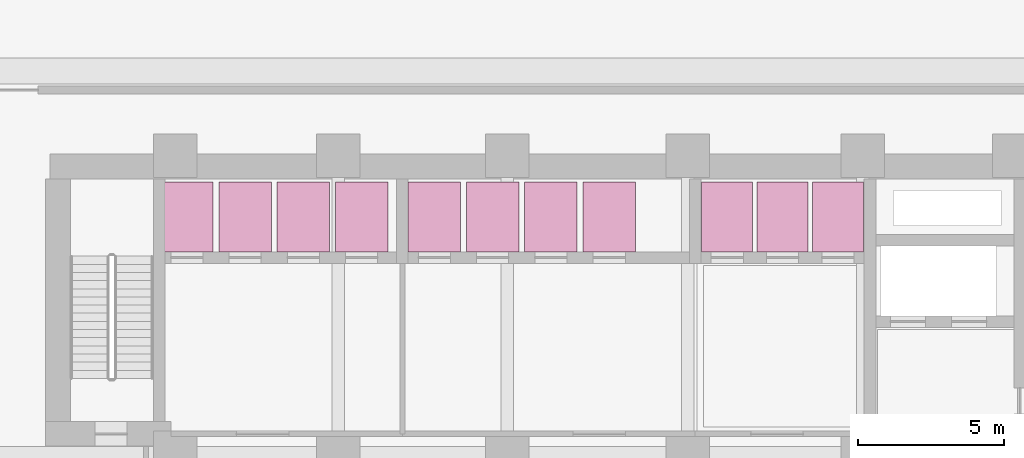
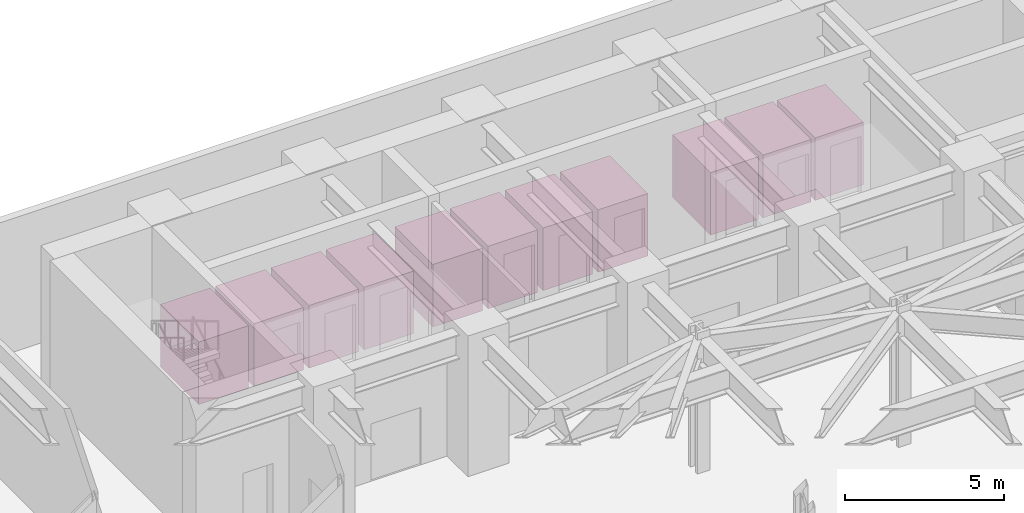
# One storey, part 31 of 31: 11 transport elements.
"""IFC4 building model written with IfcOpenShell, lengths in metres."""

from ifc_helpers import new_model, si_unit, direction, frame, origin, origin_2d, place, context, subcontext, project, spatial, rectangle, extrude, material, type_object, element, save


model = new_model("IFC4")

# Units and contexts
model_context = context("Model", 3, precision=1e-05, world=origin(), true_north=direction((0.0, 1.0)))
body_context = subcontext(model_context, "Body", "Model", "MODEL_VIEW")
ifc_project = project(units=[si_unit("LENGTHUNIT", "METRE"), si_unit("AREAUNIT", "SQUARE_METRE"), si_unit("VOLUMEUNIT", "CUBIC_METRE"), si_unit("PLANEANGLEUNIT", "RADIAN"), si_unit("MASSUNIT", "GRAM", prefix="KILO")], contexts=[model_context])

# Site, building, storey
site_placement = place(None, origin())
site = spatial("IfcSite", under=ifc_project, at=site_placement, CompositionType="ELEMENT")
building_placement = place(site_placement, origin())
building = spatial("IfcBuilding", under=site, at=building_placement, Name="Kravanh Interchange Tower", CompositionType="ELEMENT")
storey_placement = place(building_placement, origin())
storey = spatial("IfcBuildingStorey", under=building, at=storey_placement, Name="L00", CompositionType="ELEMENT", Elevation=0.0)

# Transport elements
ifc_material_1 = material(Name="Stainless Steel 304", Category="steel")
transport_element_type_1 = type_object("IfcTransportElementType", Name="High-Rise Passenger Lift 1600kg", PredefinedType="ELEVATOR", material=ifc_material_1)
for number, where, z_axis, x_axis, name in (
    (1, (46.14990234375, 45.449951171875, 0.0), (0.0, 0.0, 1.0), (1.0, 0.0, 0.0), "Elevator Car LP-H1"),
    (2, (48.050048828125, 45.449951171875, 0.0), (0.0, 0.0, 1.0), (1.0, 0.0, 0.0), "Elevator Car LP-H2"),
    (3, (49.949951171875, 45.449951171875, 0.0), (0.0, 0.0, 1.0), (1.0, 0.0, 0.0), "Elevator Car LP-H3"),
):
    element("IfcTransportElement", number, at=place(storey_placement, frame(where, z_axis=z_axis, x_axis=x_axis)), inside=storey, type_object=transport_element_type_1, Name=name, PredefinedType="ELEVATOR", context=body_context, shape_type="SweptSolid", body=[
        extrude(rectangle(XDim=1.75, YDim=2.39990234375, at=origin_2d()), origin(), (0.0, 0.0, 1.0), 2.39990234375),
    ])
ifc_material_2 = material(Name="Stainless Steel 304", Category="steel")
transport_element_type_2 = type_object("IfcTransportElementType", Name="Passenger Gearless Lift 1800kg", PredefinedType="ELEVATOR", material=ifc_material_2)
for number, where, z_axis, x_axis, name in (
    (4, (27.60009765625, 45.449951171875, 0.0), (0.0, 0.0, 1.0), (1.0, 0.0, 0.0), "Elevator Car LP-L1"),
    (5, (29.60009765625, 45.449951171875, 0.0), (0.0, 0.0, 1.0), (1.0, 0.0, 0.0), "Elevator Car LP-L2"),
    (6, (31.60009765625, 45.449951171875, 0.0), (0.0, 0.0, 1.0), (1.0, 0.0, 0.0), "Elevator Car LP-L3"),
    (7, (33.60009765625, 45.449951171875, 0.0), (0.0, 0.0, 1.0), (1.0, 0.0, 0.0), "Elevator Car LP-L4"),
    (8, (36.10009765625, 45.449951171875, 0.0), (0.0, 0.0, 1.0), (1.0, 0.0, 0.0), "Elevator Car LP-M1"),
    (9, (38.10009765625, 45.449951171875, 0.0), (0.0, 0.0, 1.0), (1.0, 0.0, 0.0), "Elevator Car LP-M2"),
    (10, (40.10009765625, 45.449951171875, 0.0), (0.0, 0.0, 1.0), (1.0, 0.0, 0.0), "Elevator Car LP-M3"),
    (11, (42.10009765625, 45.449951171875, 0.0), (0.0, 0.0, 1.0), (1.0, 0.0, 0.0), "Elevator Car LP-M4"),
):
    element("IfcTransportElement", number, at=place(storey_placement, frame(where, z_axis=z_axis, x_axis=x_axis)), inside=storey, type_object=transport_element_type_2, Name=name, PredefinedType="ELEVATOR", context=body_context, shape_type="SweptSolid", body=[
        extrude(rectangle(XDim=1.800048828125, YDim=2.39990234375, at=origin_2d()), origin(), (0.0, 0.0, 1.0), 2.39990234375),
    ])

save(model, "model.ifc")
